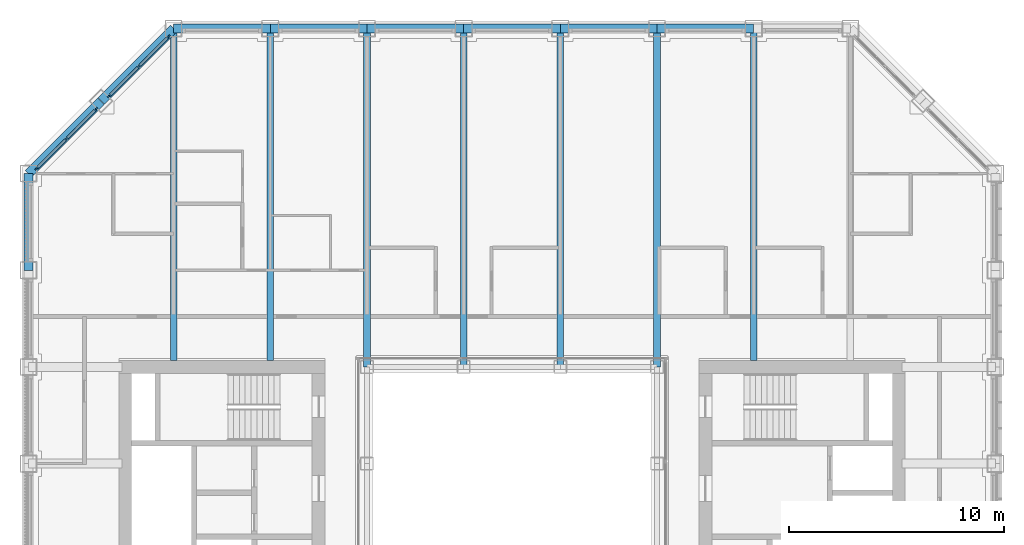
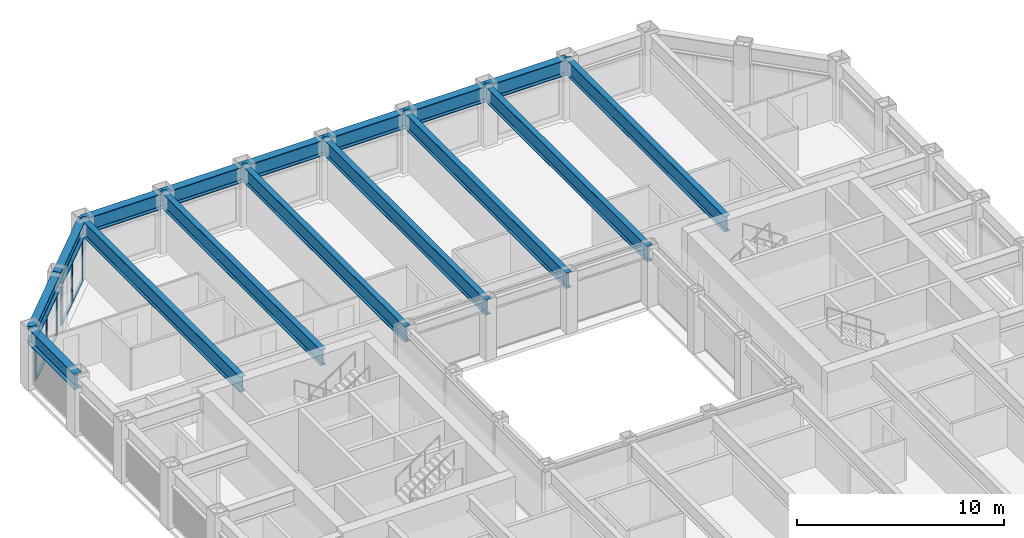
# One storey, part 7 of 17: 16 beams, 14 members, 2 elements without a shape of their own.
"""IFC4 building model written with IfcOpenShell, lengths in metres."""

from ifc_helpers import new_model, si_unit, direction, frame, origin, origin_2d, place, context, subcontext, project, spatial, rectangle, i_section, extrude, material, material_profile, profile_set, type_object, element, aggregate, save


model = new_model("IFC4")

# Units and contexts
model_context = context("Model", 3, precision=1e-05, world=origin(), true_north=direction((0.0, 1.0)))
body_context = subcontext(model_context, "Body", "Model", "MODEL_VIEW")
ifc_project = project(units=[si_unit("LENGTHUNIT", "METRE"), si_unit("AREAUNIT", "SQUARE_METRE"), si_unit("VOLUMEUNIT", "CUBIC_METRE"), si_unit("PLANEANGLEUNIT", "RADIAN"), si_unit("MASSUNIT", "GRAM", prefix="KILO")], contexts=[model_context])

# Site, building, storey
site_placement = place(None, origin())
site = spatial("IfcSite", under=ifc_project, at=site_placement, CompositionType="ELEMENT")
building_placement = place(site_placement, origin())
building = spatial("IfcBuilding", under=site, at=building_placement, Name="Msasa Ring Tower", CompositionType="ELEMENT")
storey_placement = place(building_placement, frame((0.0, 0.0, 176.0)))
storey = spatial("IfcBuildingStorey", under=building, at=storey_placement, Name="L46", CompositionType="ELEMENT", Elevation=176.0)

# Curtain wall, members
ifc_material_1 = material(Name="Aluminium curtain wall with clear glass", Category="aluminium")
curtain_wall_type = type_object("IfcCurtainWallType", Name="CW-C CHAMFER CORNER CURTAIN WALL", PredefinedType="NOTDEFINED", material=ifc_material_1)
curtain_wall_1_placement = place(storey_placement, origin())
curtain_wall_1 = element("IfcCurtainWall", 1, at=curtain_wall_1_placement, inside=storey, type_object=curtain_wall_type, Name="Chamfer corner curtain wall NW L46", PredefinedType="NOTDEFINED")
ifc_material_2 = material(Name="Aluminium mullion", Category="aluminium")
ifc_material_profile_1 = material_profile(ifc_material_2, rectangle(XDim=0.06494140625, YDim=0.179931640625, at=origin_2d()), Name="AL 65x180")
ifc_profile_set_1 = profile_set([ifc_material_profile_1], Name="Aluminium mullion")
member_type_1 = type_object("IfcMemberType", Name="CW-C MULLION 65x180", PredefinedType="MULLION", material=ifc_profile_set_1)
member_1_placement = place(storey_placement, frame((-19.36376953125, 18.744873046875, 0.0), z_axis=(0.0, 0.0, 1.0), x_axis=(0.707106781187, -0.707106781187, 0.0)))
member_1 = element("IfcMember", 2, at=member_1_placement, type_object=member_type_1, Name="CW-C mullion 1", PredefinedType="MULLION", context=body_context, shape_type="SweptSolid", body=[
    extrude(rectangle(XDim=0.06494140625, YDim=0.179931640625, at=origin_2d()), origin(), (0.0, 0.0, 1.0), 2.47900390625),
])
member_2_placement = place(storey_placement, frame((-20.74169921875, 17.36669921875, 0.0), z_axis=(0.0, 0.0, 1.0), x_axis=(0.707106781187, -0.707106781187, 0.0)))
member_2 = element("IfcMember", 3, at=member_2_placement, type_object=member_type_1, Name="CW-C mullion 2", PredefinedType="MULLION", context=body_context, shape_type="SweptSolid", body=[
    extrude(rectangle(XDim=0.06494140625, YDim=0.179931640625, at=origin_2d()), origin(), (0.0, 0.0, 1.0), 2.47900390625),
])
member_3_placement = place(storey_placement, frame((-22.119873046875, 15.98876953125, 0.0), z_axis=(0.0, 0.0, 1.0), x_axis=(0.707106781187, -0.707106781187, 0.0)))
member_3 = element("IfcMember", 4, at=member_3_placement, type_object=member_type_1, Name="CW-C mullion 3", PredefinedType="MULLION", context=body_context, shape_type="SweptSolid", body=[
    extrude(rectangle(XDim=0.06494140625, YDim=0.179931640625, at=origin_2d()), origin(), (0.0, 0.0, 1.0), 2.47900390625),
])

curtain_wall_2_placement = place(storey_placement, origin())
curtain_wall_2 = element("IfcCurtainWall", 5, at=curtain_wall_2_placement, inside=storey, type_object=curtain_wall_type, Name="Chamfer corner curtain wall NW L46", PredefinedType="NOTDEFINED")
member_4_placement = place(storey_placement, frame((-15.98876953125, 22.119873046875, 0.0), z_axis=(0.0, 0.0, 1.0), x_axis=(0.707106781187, -0.707106781187, 0.0)))
member_4 = element("IfcMember", 6, at=member_4_placement, type_object=member_type_1, Name="CW-C mullion 1", PredefinedType="MULLION", context=body_context, shape_type="SweptSolid", body=[
    extrude(rectangle(XDim=0.06494140625, YDim=0.179931640625, at=origin_2d()), origin(), (0.0, 0.0, 1.0), 2.47900390625),
])
member_5_placement = place(storey_placement, frame((-17.36669921875, 20.74169921875, 0.0), z_axis=(0.0, 0.0, 1.0), x_axis=(0.707106781187, -0.707106781187, 0.0)))
member_5 = element("IfcMember", 7, at=member_5_placement, type_object=member_type_1, Name="CW-C mullion 2", PredefinedType="MULLION", context=body_context, shape_type="SweptSolid", body=[
    extrude(rectangle(XDim=0.06494140625, YDim=0.179931640625, at=origin_2d()), origin(), (0.0, 0.0, 1.0), 2.47900390625),
])
member_6_placement = place(storey_placement, frame((-18.744873046875, 19.36376953125, 0.0), z_axis=(0.0, 0.0, 1.0), x_axis=(0.707106781187, -0.707106781187, 0.0)))
member_6 = element("IfcMember", 8, at=member_6_placement, type_object=member_type_1, Name="CW-C mullion 3", PredefinedType="MULLION", context=body_context, shape_type="SweptSolid", body=[
    extrude(rectangle(XDim=0.06494140625, YDim=0.179931640625, at=origin_2d()), origin(), (0.0, 0.0, 1.0), 2.47900390625),
])

# Member
ifc_material_3 = material(Name="Aluminium transom", Category="aluminium")
ifc_material_profile_2 = material_profile(ifc_material_3, rectangle(XDim=0.139892578125, YDim=0.06494140625, at=origin_2d()), Name="AL 65x140")
ifc_profile_set_2 = profile_set([ifc_material_profile_2], Name="Aluminium transom")
member_type_2 = type_object("IfcMemberType", Name="CW-C TRANSOM 65x140", PredefinedType="USERDEFINED", material=ifc_profile_set_2)
member_7_placement = place(storey_placement, frame((-19.38671875, 18.721923828125, 0.032470703125), z_axis=(-0.707106781187, -0.707106781187, 0.0), x_axis=(0.707106781187, -0.707106781187, 0.0)))
member_7 = element("IfcMember", 9, at=member_7_placement, type_object=member_type_2, Name="CW-C transom 1.1", ObjectType="TRANSOM", PredefinedType="USERDEFINED", context=body_context, shape_type="SweptSolid", body=[
    extrude(rectangle(XDim=0.139892578125, YDim=0.06494140625, at=origin_2d()), origin(), (0.0, 0.0, 1.0), 1.8837890625),
])

member_8_placement = place(storey_placement, frame((-19.38671875, 18.721923828125, 2.446533203125), z_axis=(-0.707106781187, -0.707106781187, 0.0), x_axis=(0.707106781187, -0.707106781187, 0.0)))
member_8 = element("IfcMember", 10, at=member_8_placement, type_object=member_type_2, Name="CW-C transom 1.2", ObjectType="TRANSOM", PredefinedType="USERDEFINED", context=body_context, shape_type="SweptSolid", body=[
    extrude(rectangle(XDim=0.139892578125, YDim=0.06494140625, at=origin_2d()), origin(), (0.0, 0.0, 1.0), 1.8837890625),
])

member_9_placement = place(storey_placement, frame((-20.764892578125, 17.34375, 0.032470703125), z_axis=(-0.707106781187, -0.707106781187, 0.0), x_axis=(0.707106781187, -0.707106781187, 0.0)))
member_9 = element("IfcMember", 11, at=member_9_placement, type_object=member_type_2, Name="CW-C transom 2.1", ObjectType="TRANSOM", PredefinedType="USERDEFINED", context=body_context, shape_type="SweptSolid", body=[
    extrude(rectangle(XDim=0.139892578125, YDim=0.06494140625, at=origin_2d()), origin(), (0.0, 0.0, 1.0), 1.8837890625),
])

member_10_placement = place(storey_placement, frame((-20.764892578125, 17.34375, 2.446533203125), z_axis=(-0.707106781187, -0.707106781187, 0.0), x_axis=(0.707106781187, -0.707106781187, 0.0)))
member_10 = element("IfcMember", 12, at=member_10_placement, type_object=member_type_2, Name="CW-C transom 2.2", ObjectType="TRANSOM", PredefinedType="USERDEFINED", context=body_context, shape_type="SweptSolid", body=[
    extrude(rectangle(XDim=0.139892578125, YDim=0.06494140625, at=origin_2d()), origin(), (0.0, 0.0, 1.0), 1.8837890625),
])

aggregate(curtain_wall_1, [member_1, member_2, member_3, member_7, member_8, member_9, member_10])

member_11_placement = place(storey_placement, frame((-16.01171875, 22.096923828125, 0.032470703125), z_axis=(-0.707106781187, -0.707106781187, 0.0), x_axis=(0.707106781187, -0.707106781187, 0.0)))
member_11 = element("IfcMember", 13, at=member_11_placement, type_object=member_type_2, Name="CW-C transom 1.1", ObjectType="TRANSOM", PredefinedType="USERDEFINED", context=body_context, shape_type="SweptSolid", body=[
    extrude(rectangle(XDim=0.139892578125, YDim=0.06494140625, at=origin_2d()), origin(), (0.0, 0.0, 1.0), 1.8837890625),
])

member_12_placement = place(storey_placement, frame((-16.01171875, 22.096923828125, 2.446533203125), z_axis=(-0.707106781187, -0.707106781187, 0.0), x_axis=(0.707106781187, -0.707106781187, 0.0)))
member_12 = element("IfcMember", 14, at=member_12_placement, type_object=member_type_2, Name="CW-C transom 1.2", ObjectType="TRANSOM", PredefinedType="USERDEFINED", context=body_context, shape_type="SweptSolid", body=[
    extrude(rectangle(XDim=0.139892578125, YDim=0.06494140625, at=origin_2d()), origin(), (0.0, 0.0, 1.0), 1.8837890625),
])

member_13_placement = place(storey_placement, frame((-17.389892578125, 20.71875, 0.032470703125), z_axis=(-0.707106781187, -0.707106781187, 0.0), x_axis=(0.707106781187, -0.707106781187, 0.0)))
member_13 = element("IfcMember", 15, at=member_13_placement, type_object=member_type_2, Name="CW-C transom 2.1", ObjectType="TRANSOM", PredefinedType="USERDEFINED", context=body_context, shape_type="SweptSolid", body=[
    extrude(rectangle(XDim=0.139892578125, YDim=0.06494140625, at=origin_2d()), origin(), (0.0, 0.0, 1.0), 1.8837890625),
])

member_14_placement = place(storey_placement, frame((-17.389892578125, 20.71875, 2.446533203125), z_axis=(-0.707106781187, -0.707106781187, 0.0), x_axis=(0.707106781187, -0.707106781187, 0.0)))
member_14 = element("IfcMember", 16, at=member_14_placement, type_object=member_type_2, Name="CW-C transom 2.2", ObjectType="TRANSOM", PredefinedType="USERDEFINED", context=body_context, shape_type="SweptSolid", body=[
    extrude(rectangle(XDim=0.139892578125, YDim=0.06494140625, at=origin_2d()), origin(), (0.0, 0.0, 1.0), 1.8837890625),
])

aggregate(curtain_wall_2, [member_4, member_5, member_6, member_11, member_12, member_13, member_14])

# Beams
ifc_material_4 = material(Name="Steel S355", Category="steel")
ifc_material_profile_3 = material_profile(ifc_material_4, i_section(OverallWidth=0.3076171875, OverallDepth=0.926513671875, WebThickness=0.01953125, FlangeThickness=0.031982421875, FilletRadius=0.01904296875, at=origin_2d()), Name="UB 914x305x289")
ifc_profile_set_3 = profile_set([ifc_material_profile_3], Name="Steel S355")
beam_type_1 = type_object("IfcBeamType", Name="FB3 UB 914x305x289", PredefinedType="BEAM", material=ifc_profile_set_3)
for number, where, z_axis, x_axis, name in (
    (17, (-15.75, 22.5, 2.936767578125), (0.0, -1.0, 0.0), (1.0, 0.0, 0.0), "Floor beam N-15.75 under L47"),
    (18, (-11.25, 22.5, 2.936767578125), (0.0, -1.0, 0.0), (1.0, 0.0, 0.0), "Floor beam N-11.25 under L47"),
):
    element("IfcBeam", number, at=place(storey_placement, frame(where, z_axis=z_axis, x_axis=x_axis)), inside=storey, type_object=beam_type_1, Name=name, PredefinedType="BEAM", context=body_context, shape_type="SweptSolid", body=[
        extrude(i_section(OverallWidth=0.3076171875, OverallDepth=0.926513671875, WebThickness=0.01953125, FlangeThickness=0.031982421875, FilletRadius=0.01904296875, at=origin_2d()), origin(), (0.0, 0.0, 1.0), 15.449951171875),
    ])
for number, where, z_axis, x_axis, name in (
    (19, (-6.75, 22.5, 2.936767578125), (0.0, -1.0, 0.0), (1.0, 0.0, 0.0), "Floor beam N-6.75 under L47"),
    (20, (-2.25, 22.5, 2.936767578125), (0.0, -1.0, 0.0), (1.0, 0.0, 0.0), "Floor beam N-2.25 under L47"),
    (21, (2.25, 22.5, 2.936767578125), (0.0, -1.0, 0.0), (1.0, 0.0, 0.0), "Floor beam N+2.25 under L47"),
    (22, (6.75, 22.5, 2.936767578125), (0.0, -1.0, 0.0), (1.0, 0.0, 0.0), "Floor beam N+6.75 under L47"),
):
    element("IfcBeam", number, at=place(storey_placement, frame(where, z_axis=z_axis, x_axis=x_axis)), inside=storey, type_object=beam_type_1, Name=name, PredefinedType="BEAM", context=body_context, shape_type="SweptSolid", body=[
        extrude(i_section(OverallWidth=0.3076171875, OverallDepth=0.926513671875, WebThickness=0.01953125, FlangeThickness=0.031982421875, FilletRadius=0.01904296875, at=origin_2d()), origin(), (0.0, 0.0, 1.0), 15.75),
    ])
beam_1_placement = place(storey_placement, frame((11.25, 22.5, 2.936767578125), z_axis=(0.0, -1.0, 0.0), x_axis=(1.0, 0.0, 0.0)))
element("IfcBeam", 23, at=beam_1_placement, inside=storey, type_object=beam_type_1, Name="Floor beam N+11.25 under L47", PredefinedType="BEAM", context=body_context, shape_type="SweptSolid", body=[
    extrude(i_section(OverallWidth=0.3076171875, OverallDepth=0.926513671875, WebThickness=0.01953125, FlangeThickness=0.031982421875, FilletRadius=0.01904296875, at=origin_2d()), origin(), (0.0, 0.0, 1.0), 15.449951171875),
])
ifc_material_5 = material(Name="Steel S355", Category="steel")
ifc_material_profile_4 = material_profile(ifc_material_5, i_section(OverallWidth=0.42041015625, OverallDepth=0.9208984375, WebThickness=0.021484375, FlangeThickness=0.03662109375, FilletRadius=0.024169921875, at=origin_2d()), Name="UB 914x419x388")
ifc_profile_set_4 = profile_set([ifc_material_profile_4], Name="Steel S355")
beam_type_2 = type_object("IfcBeamType", Name="SB1 UB 914x419x388", PredefinedType="SPANDREL", material=ifc_profile_set_4)
for number, where, z_axis, x_axis, name in (
    (24, (11.25, 22.5, 2.939453125), (-1.0, 0.0, 0.0), (0.0, -1.0, 0.0), "Spandrel N+11.25 to N+6.75 under L47"),
    (25, (6.75, 22.5, 2.939453125), (-1.0, 0.0, 0.0), (0.0, -1.0, 0.0), "Spandrel N+6.75 to N+2.25 under L47"),
    (26, (2.25, 22.5, 2.939453125), (-1.0, 0.0, 0.0), (0.0, -1.0, 0.0), "Spandrel N+2.25 to N-2.25 under L47"),
    (27, (-2.25, 22.5, 2.939453125), (-1.0, 0.0, 0.0), (0.0, -1.0, 0.0), "Spandrel N-2.25 to N-6.75 under L47"),
    (28, (-6.75, 22.5, 2.939453125), (-1.0, 0.0, 0.0), (0.0, -1.0, 0.0), "Spandrel N-6.75 to N-11.25 under L47"),
    (29, (-11.25, 22.5, 2.939453125), (-1.0, 0.0, 0.0), (0.0, -1.0, 0.0), "Spandrel N-11.25 to N-15.75 under L47"),
):
    element("IfcBeam", number, at=place(storey_placement, frame(where, z_axis=z_axis, x_axis=x_axis)), inside=storey, type_object=beam_type_2, Name=name, PredefinedType="SPANDREL", context=body_context, shape_type="SweptSolid", body=[
        extrude(i_section(OverallWidth=0.42041015625, OverallDepth=0.9208984375, WebThickness=0.021484375, FlangeThickness=0.03662109375, FilletRadius=0.024169921875, at=origin_2d()), origin(), (0.0, 0.0, 1.0), 4.5),
    ])
for number, where, z_axis, x_axis, name in (
    (30, (-15.75, 22.5, 2.939453125), (-0.707106781187, -0.707106781187, 0.0), (0.707106781187, -0.707106781187, 0.0), "Spandrel N-15.75 to NW under L47"),
    (31, (-19.125, 19.125, 2.939453125), (-0.707106781187, -0.707106781187, 0.0), (0.707106781187, -0.707106781187, 0.0), "Spandrel NW to W+15.75 under L47"),
):
    element("IfcBeam", number, at=place(storey_placement, frame(where, z_axis=z_axis, x_axis=x_axis)), inside=storey, type_object=beam_type_2, Name=name, PredefinedType="SPANDREL", context=body_context, shape_type="SweptSolid", body=[
        extrude(i_section(OverallWidth=0.42041015625, OverallDepth=0.9208984375, WebThickness=0.021484375, FlangeThickness=0.03662109375, FilletRadius=0.024169921875, at=origin_2d()), origin(), (0.0, 0.0, 1.0), 4.77294921875),
    ])
beam_2_placement = place(storey_placement, frame((-22.5, 15.75, 2.939453125), z_axis=(0.0, -1.0, 0.0), x_axis=(1.0, 0.0, 0.0)))
element("IfcBeam", 32, at=beam_2_placement, inside=storey, type_object=beam_type_2, Name="Spandrel W+15.75 to W+11.25 under L47", PredefinedType="SPANDREL", context=body_context, shape_type="SweptSolid", body=[
    extrude(i_section(OverallWidth=0.42041015625, OverallDepth=0.9208984375, WebThickness=0.021484375, FlangeThickness=0.03662109375, FilletRadius=0.024169921875, at=origin_2d()), origin(), (0.0, 0.0, 1.0), 4.5),
])

save(model, "model.ifc")
